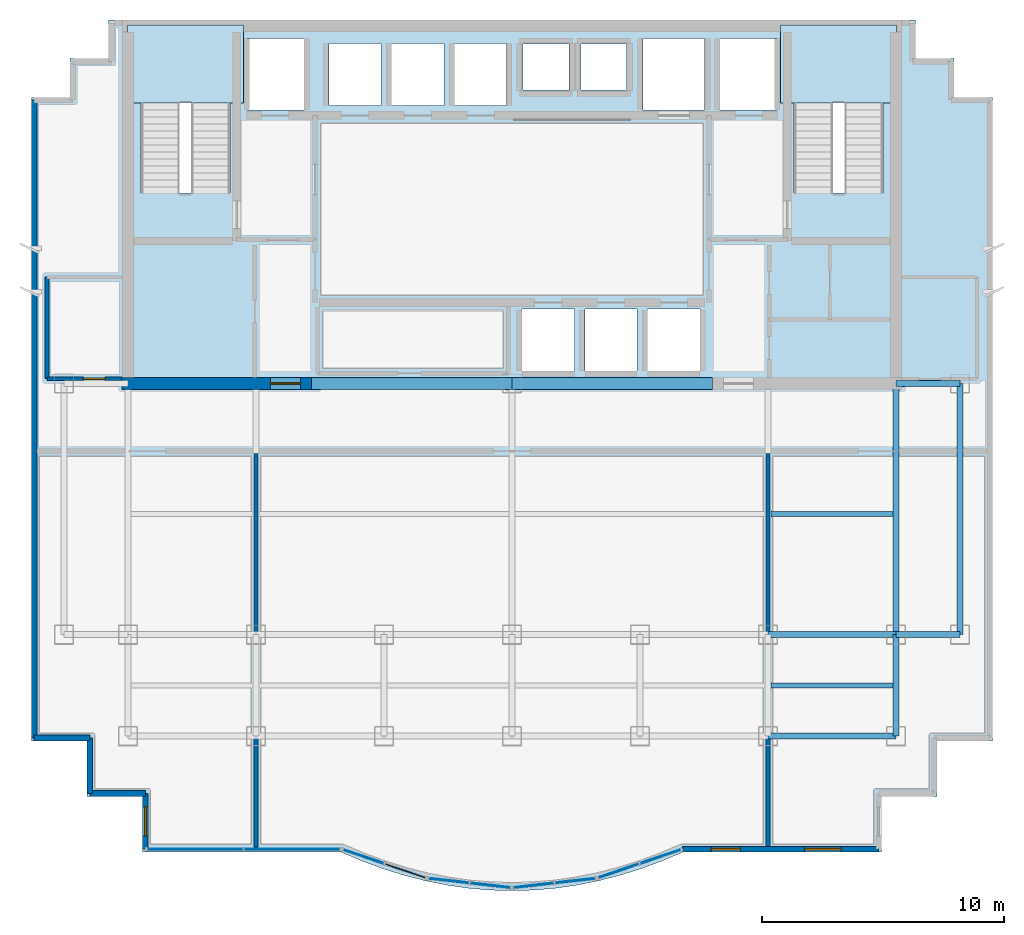
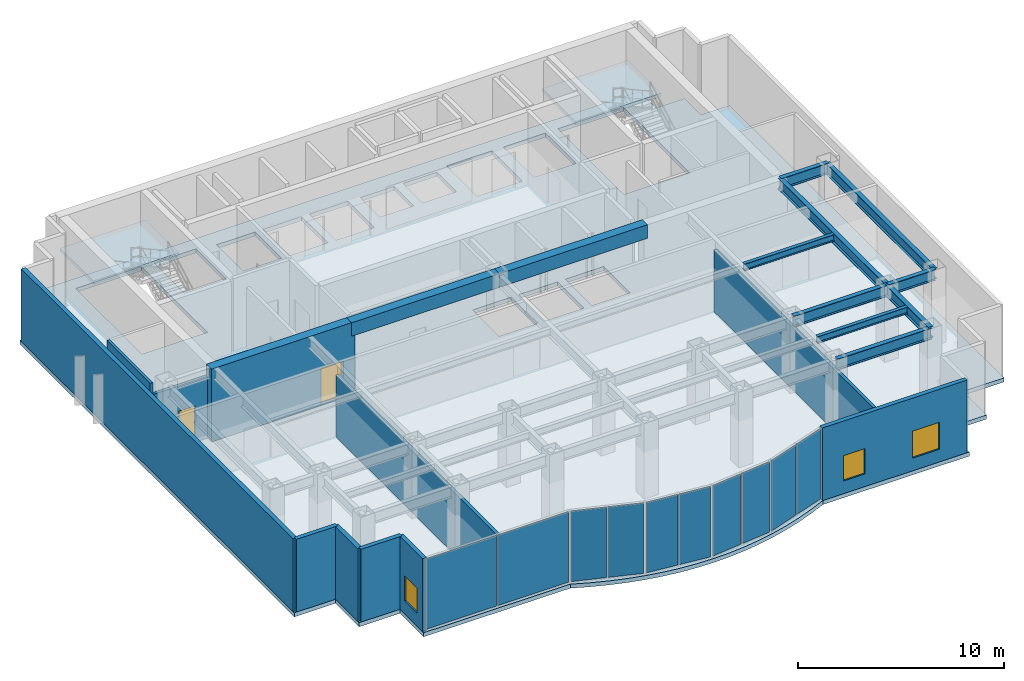
# One storey, part 3 of 8: 11 beams, 11 walls, 10 plates, 3 slabs, 3 windows, 2 doors, 5 openings, 7 elements without a shape of their own.
"""IFC4 building model written with IfcOpenShell, lengths in metres."""

from ifc_helpers import new_model, si_unit, direction, frame, frame_2d, origin, origin_2d, place, context, subcontext, project, spatial, polyline, rectangle, i_section, outline, extrude, source, transform, mapped, material, layer, layer_set, material_profile, profile_set, type_object, element, fill, aggregate, save


model = new_model("IFC4")

# Units and contexts
model_context = context("Model", 3, precision=1e-05, world=origin(), true_north=direction((0.0, 1.0)))
body_context = subcontext(model_context, "Body", "Model", "MODEL_VIEW")
ifc_project = project(units=[si_unit("LENGTHUNIT", "METRE"), si_unit("AREAUNIT", "SQUARE_METRE"), si_unit("VOLUMEUNIT", "CUBIC_METRE"), si_unit("PLANEANGLEUNIT", "RADIAN"), si_unit("MASSUNIT", "GRAM", prefix="KILO")], contexts=[model_context])

# Site, building, storey
site_placement = place(None, origin())
site = spatial("IfcSite", under=ifc_project, at=site_placement, CompositionType="ELEMENT")
building_placement = place(site_placement, origin())
building = spatial("IfcBuilding", under=site, at=building_placement, Name="Qianlan Lanfeng Residences", CompositionType="ELEMENT")
storey_placement = place(building_placement, frame((0.0, 0.0, 192.199951171875)))
storey = spatial("IfcBuildingStorey", under=building, at=storey_placement, Name="L52", CompositionType="ELEMENT", Elevation=192.199951171875)

# Beams
ifc_material_1 = material(Name="Steel SN490B", Category="steel")
ifc_material_profile_1 = material_profile(ifc_material_1, i_section(OverallWidth=0.25, OverallDepth=0.64990234375, WebThickness=0.012939453125, FlangeThickness=0.02197265625, at=origin_2d()), Name="H 650x250x13x22")
ifc_profile_set_1 = profile_set([ifc_material_profile_1], Name="Steel SN490B")
beam_type_1 = type_object("IfcBeamType", Name="G-650", PredefinedType="BEAM", material=ifc_profile_set_1)
for number, where, z_axis, x_axis, name in (
    (1, (37.10009765625, 10.60009765625, 3.985107421875), (1.0, 0.0, 0.0), (0.0, 1.0, 0.0), "Structural beam G-650"),
    (2, (37.10009765625, 14.800048828125, 3.985107421875), (1.0, 0.0, 0.0), (0.0, 1.0, 0.0), "Structural beam G-650"),
):
    element("IfcBeam", number, at=place(storey_placement, frame(where, z_axis=z_axis, x_axis=x_axis)), inside=storey, type_object=beam_type_1, Name=name, PredefinedType="BEAM", context=body_context, shape_type="SweptSolid", body=[
        extrude(i_section(OverallWidth=0.25, OverallDepth=0.64990234375, WebThickness=0.012939453125, FlangeThickness=0.02197265625, at=origin_2d()), origin(), (0.0, 0.0, 1.0), 5.2998046875),
    ])
for number, where, z_axis, x_axis, name in (
    (3, (42.39990234375, 14.800048828125, 3.985107421875), (1.0, 0.0, 0.0), (0.0, 1.0, 0.0), "Structural beam G-650"),
    (4, (42.39990234375, 25.199951171875, 3.985107421875), (1.0, 0.0, 0.0), (0.0, 1.0, 0.0), "Structural beam G-650"),
):
    element("IfcBeam", number, at=place(storey_placement, frame(where, z_axis=z_axis, x_axis=x_axis)), inside=storey, type_object=beam_type_1, Name=name, PredefinedType="BEAM", context=body_context, shape_type="SweptSolid", body=[
        extrude(i_section(OverallWidth=0.25, OverallDepth=0.64990234375, WebThickness=0.012939453125, FlangeThickness=0.02197265625, at=origin_2d()), origin(), (0.0, 0.0, 1.0), 2.650146484375),
    ])
beam_1_placement = place(storey_placement, frame((42.39990234375, 10.60009765625, 3.985107421875), z_axis=(0.0, 1.0, 0.0), x_axis=(-1.0, 0.0, 0.0)))
element("IfcBeam", 5, at=beam_1_placement, inside=storey, type_object=beam_type_1, Name="Structural beam G-650", PredefinedType="BEAM", context=body_context, shape_type="SweptSolid", body=[
    extrude(i_section(OverallWidth=0.25, OverallDepth=0.64990234375, WebThickness=0.012939453125, FlangeThickness=0.02197265625, at=origin_2d()), origin(), (0.0, 0.0, 1.0), 4.199951171875),
])
beam_2_placement = place(storey_placement, frame((42.39990234375, 14.800048828125, 3.985107421875), z_axis=(0.0, 1.0, 0.0), x_axis=(-1.0, 0.0, 0.0)))
element("IfcBeam", 6, at=beam_2_placement, inside=storey, type_object=beam_type_1, Name="Structural beam G-650", PredefinedType="BEAM", context=body_context, shape_type="SweptSolid", body=[
    extrude(i_section(OverallWidth=0.25, OverallDepth=0.64990234375, WebThickness=0.012939453125, FlangeThickness=0.02197265625, at=origin_2d()), origin(), (0.0, 0.0, 1.0), 10.39990234375),
])
ifc_material_profile_2 = material_profile(ifc_material_1, i_section(OverallWidth=0.199951171875, OverallDepth=0.39990234375, WebThickness=0.008056640625, FlangeThickness=0.012939453125, at=origin_2d()), Name="H 400x200x8x13")
ifc_profile_set_2 = profile_set([ifc_material_profile_2], Name="Steel SN490B")
beam_type_2 = type_object("IfcBeamType", Name="J-400", PredefinedType="JOIST", material=ifc_profile_set_2)
for number, where, z_axis, x_axis, name in (
    (7, (37.22509765625, 12.699951171875, 4.110107421875), (1.0, 0.0, 0.0), (0.0, 1.0, 0.0), "Structural beam J-400"),
    (8, (37.22509765625, 19.800048828125, 4.110107421875), (1.0, 0.0, 0.0), (0.0, 1.0, 0.0), "Structural beam J-400"),
):
    element("IfcBeam", number, at=place(storey_placement, frame(where, z_axis=z_axis, x_axis=x_axis)), inside=storey, type_object=beam_type_2, Name=name, PredefinedType="JOIST", context=body_context, shape_type="SweptSolid", body=[
        extrude(i_section(OverallWidth=0.199951171875, OverallDepth=0.39990234375, WebThickness=0.008056640625, FlangeThickness=0.012939453125, at=origin_2d()), origin(), (0.0, 0.0, 1.0), 5.0498046875),
    ])
ifc_material_2 = material(Name="Concrete C49", Category="concrete")
ifc_material_profile_3 = material_profile(ifc_material_2, rectangle(XDim=0.5, YDim=0.800048828125, at=origin_2d()), Name="RC 500x800")
ifc_profile_set_3 = profile_set([ifc_material_profile_3], Name="Concrete C49")
beam_type_3 = type_object("IfcBeamType", Name="LB-RC750", PredefinedType="BEAM", material=ifc_profile_set_3)
for number, where, z_axis, x_axis, name in (
    (9, (18.199951171875, 25.199951171875, 3.91015625), (1.0, 0.0, 0.0), (0.0, 1.0, 0.0), "L52 Core Coupling Beam W"),
    (10, (26.5, 25.199951171875, 3.91015625), (1.0, 0.0, 0.0), (0.0, 1.0, 0.0), "L52 Core Coupling Beam E"),
):
    element("IfcBeam", number, at=place(storey_placement, frame(where, z_axis=z_axis, x_axis=x_axis)), inside=storey, type_object=beam_type_3, Name=name, PredefinedType="BEAM", context=body_context, shape_type="SweptSolid", body=[
        extrude(rectangle(XDim=0.5, YDim=0.800048828125, at=origin_2d()), origin(), (0.0, 0.0, 1.0), 8.300048828125),
    ])
ifc_material_profile_4 = material_profile(ifc_material_1, i_section(OverallWidth=0.25, OverallDepth=0.64990234375, WebThickness=0.012939453125, FlangeThickness=0.02197265625, at=origin_2d()), Name="H 650x250x13x22")
ifc_profile_set_4 = profile_set([ifc_material_profile_4], Name="Steel SN490B")
beam_type_4 = type_object("IfcBeamType", Name="SG-650", PredefinedType="SPANDREL", material=ifc_profile_set_4)
beam_3_placement = place(storey_placement, frame((45.050048828125, 14.800048828125, 3.965087890625), z_axis=(0.0, 1.0, 0.0), x_axis=(-1.0, 0.0, 0.0)))
element("IfcBeam", 11, at=beam_3_placement, inside=storey, type_object=beam_type_4, Name="Structural beam SG-650", PredefinedType="SPANDREL", context=body_context, shape_type="SweptSolid", body=[
    extrude(i_section(OverallWidth=0.25, OverallDepth=0.64990234375, WebThickness=0.012939453125, FlangeThickness=0.02197265625, at=origin_2d()), origin(), (0.0, 0.0, 1.0), 10.39990234375),
])

# Slab
ifc_layer_1 = layer(ifc_material_2, 0.239990234375)
ifc_layer_set_1 = layer_set([ifc_layer_1], Name="Concrete C49")
slab_type_1 = type_object("IfcSlabType", Name="S-FL-240", PredefinedType="FLOOR", material=ifc_layer_set_1)
slab_1_placement = place(storey_placement, frame((0.0, 0.0, -0.239990234375)))
element("IfcSlab", 12, at=slab_1_placement, inside=storey, type_object=slab_type_1, Name="L52 Structural Floor Slab", PredefinedType="FLOOR", context=body_context, shape_type="SweptSolid", body=[
    extrude(outline(polyline([(6.60009765625, 10.39990234375), (8.89990234375, 10.39990234375), (8.89990234375, 8.10009765625), (11.199951171875, 8.10009765625), (11.199951171875, 5.800048828125), (19.419921875, 5.800048828125), (20.304931640625, 5.425048828125), (21.18994140625, 5.10009765625), (22.074951171875, 4.824951171875), (22.9599609375, 4.60009765625), (23.844970703125, 4.425048828125), (24.72998046875, 4.300048828125), (25.614990234375, 4.22509765625), (26.5, 4.199951171875), (27.385009765625, 4.22509765625), (28.27001953125, 4.300048828125), (29.155029296875, 4.425048828125), (30.0400390625, 4.60009765625), (30.925048828125, 4.824951171875), (31.81005859375, 5.10009765625), (32.695068359375, 5.425048828125), (33.580078125, 5.800048828125), (41.800048828125, 5.800048828125), (41.800048828125, 8.10009765625), (44.10009765625, 8.10009765625), (44.10009765625, 10.39990234375), (46.39990234375, 10.39990234375), (46.39990234375, 37.050048828125), (44.800048828125, 37.050048828125), (44.800048828125, 38.64990234375), (43.199951171875, 38.64990234375), (43.199951171875, 40.25), (9.800048828125, 40.25), (9.800048828125, 38.64990234375), (8.199951171875, 38.64990234375), (8.199951171875, 37.050048828125), (6.60009765625, 37.050048828125), (6.60009765625, 10.39990234375)]), holes=[polyline([(11.139892578125, 33.080078125), (11.139892578125, 39.5), (14.820068359375, 39.5), (14.820068359375, 33.080078125), (11.139892578125, 33.080078125)]), polyline([(38.179931640625, 33.080078125), (38.179931640625, 39.5), (41.860107421875, 39.5), (41.860107421875, 33.080078125), (38.179931640625, 33.080078125)]), polyline([(15.52001953125, 36.52001953125), (15.52001953125, 39.47998046875), (17.8798828125, 39.47998046875), (17.8798828125, 36.52001953125), (15.52001953125, 36.52001953125)]), polyline([(35.1201171875, 36.52001953125), (35.1201171875, 39.47998046875), (37.47998046875, 39.47998046875), (37.47998046875, 36.52001953125), (35.1201171875, 36.52001953125)]), polyline([(31.919921875, 36.52001953125), (31.919921875, 39.47998046875), (34.47998046875, 39.47998046875), (34.47998046875, 36.52001953125), (31.919921875, 36.52001953125)]), polyline([(26.919921875, 25.719970703125), (26.919921875, 28.280029296875), (29.080078125, 28.280029296875), (29.080078125, 25.719970703125), (26.919921875, 25.719970703125)]), polyline([(29.52001953125, 25.719970703125), (29.52001953125, 28.280029296875), (31.679931640625, 28.280029296875), (31.679931640625, 25.719970703125), (29.52001953125, 25.719970703125)]), polyline([(32.1201171875, 25.719970703125), (32.1201171875, 28.280029296875), (34.280029296875, 28.280029296875), (34.280029296875, 25.719970703125), (32.1201171875, 25.719970703125)]), polyline([(18.919921875, 36.719970703125), (18.919921875, 39.280029296875), (21.080078125, 39.280029296875), (21.080078125, 36.719970703125), (18.919921875, 36.719970703125)]), polyline([(21.52001953125, 36.719970703125), (21.52001953125, 39.280029296875), (23.679931640625, 39.280029296875), (23.679931640625, 36.719970703125), (21.52001953125, 36.719970703125)]), polyline([(24.1201171875, 36.719970703125), (24.1201171875, 39.280029296875), (26.280029296875, 39.280029296875), (26.280029296875, 36.719970703125), (24.1201171875, 36.719970703125)]), polyline([(26.949951171875, 37.35009765625), (26.949951171875, 39.25), (28.85009765625, 39.25), (28.85009765625, 37.35009765625), (26.949951171875, 37.35009765625)]), polyline([(29.35009765625, 37.35009765625), (29.35009765625, 39.25), (31.25, 39.25), (31.25, 37.35009765625), (29.35009765625, 37.35009765625)])]), origin(), (0.0, 0.0, 1.0), 0.239990234375),
])

# Stair, slab
ifc_material_3 = material(Name="Concrete C42", Category="concrete")
stair_type = type_object("IfcStairType", Name="STR-MAIN", PredefinedType="HALF_TURN_STAIR", material=ifc_material_3)
stair_1_placement = place(storey_placement, origin())
stair_1 = element("IfcStair", 13, at=stair_1_placement, inside=storey, type_object=stair_type, Name="L52 Exit Stair ST-1", PredefinedType="HALF_TURN_STAIR")
ifc_layer_2 = layer(ifc_material_3, 0.179931640625)
ifc_layer_set_2 = layer_set([ifc_layer_2], Name="Concrete C42")
slab_type_2 = type_object("IfcSlabType", Name="S-LND-180", PredefinedType="LANDING", material=ifc_layer_set_2)
slab_2_placement = place(storey_placement, frame((0.0, 0.0, 2.050048828125)))
slab_2 = element("IfcSlab", 14, at=slab_2_placement, type_object=slab_type_2, Name="ST-1 landing 1", PredefinedType="LANDING", context=body_context, shape_type="SweptSolid", body=[
    extrude(outline(polyline([(10.580078125, 36.820068359375), (15.3798828125, 36.820068359375), (15.3798828125, 40.050048828125), (10.580078125, 40.050048828125), (10.580078125, 36.820068359375)])), origin(), (0.0, 0.0, 1.0), 0.199951171875),
])
aggregate(stair_1, [slab_2])

stair_2_placement = place(storey_placement, origin())
stair_2 = element("IfcStair", 15, at=stair_2_placement, inside=storey, type_object=stair_type, Name="L52 Exit Stair ST-2", PredefinedType="HALF_TURN_STAIR")
slab_3_placement = place(storey_placement, frame((0.0, 0.0, 2.050048828125)))
slab_3 = element("IfcSlab", 16, at=slab_3_placement, type_object=slab_type_2, Name="ST-2 landing 1", PredefinedType="LANDING", context=body_context, shape_type="SweptSolid", body=[
    extrude(outline(polyline([(37.6201171875, 36.820068359375), (42.419921875, 36.820068359375), (42.419921875, 40.050048828125), (37.6201171875, 40.050048828125), (37.6201171875, 36.820068359375)])), origin(), (0.0, 0.0, 1.0), 0.199951171875),
])
aggregate(stair_2, [slab_3])

# Curtain wall, plates
ifc_material_4 = material(Name="Anodised Bronze Aluminium 6063-T6", Category="aluminium")
ifc_layer_3 = layer(ifc_material_4, 0.219970703125)
ifc_layer_set_3 = layer_set([ifc_layer_3], Name="Anodised Bronze Aluminium 6063-T6")
curtain_wall_type = type_object("IfcCurtainWallType", Name="CW-05", PredefinedType="NOTDEFINED", material=ifc_layer_set_3)
curtain_wall_1_placement = place(storey_placement, origin())
curtain_wall_1 = element("IfcCurtainWall", 17, at=curtain_wall_1_placement, inside=storey, type_object=curtain_wall_type, Name="L52 Unitised Curtain Wall CWR-L52-01 (CW-05)", PredefinedType="NOTDEFINED")
ifc_material_5 = material(Name="Dark Bronze Tinted Insulated Glass", Category="glass")
ifc_layer_4 = layer(ifc_material_5, 0.0380859375)
ifc_layer_set_4 = layer_set([ifc_layer_4], Name="Dark Bronze Tinted Insulated Glass")
plate_type_1 = type_object("IfcPlateType", Name="PNL-GLZ-BRZ", PredefinedType="CURTAIN_PANEL", material=ifc_layer_set_4)
shared_shape_1 = source(origin(), body_context, "Body", "SweptSolid", [
    extrude(rectangle(XDim=3.951416015625, YDim=0.0380859375, at=origin_2d()), origin(), (0.0, 0.0, 1.0), 4.162109375),
])
plate_1_placement = place(storey_placement, frame((13.36962890625, 5.919921875, 0.073974609375), z_axis=(0.0, 0.0, 1.0), x_axis=(1.0, 0.0, 0.0)))
plate_1 = element("IfcPlate", 18, at=plate_1_placement, type_object=plate_type_1, Name="CWR-L52-01 Curtain Panel 1", PredefinedType="CURTAIN_PANEL", context=body_context, shape_type="MappedRepresentation", body=[
    mapped(shared_shape_1, transform((0.0, 0.0, 0.0), scale=1.0)),
])
plate_2_placement = place(storey_placement, frame((17.394287109375, 5.919921875, 0.073974609375), z_axis=(0.0, 0.0, 1.0), x_axis=(1.0, 0.0, 0.0)))
plate_2 = element("IfcPlate", 19, at=plate_2_placement, type_object=plate_type_1, Name="CWR-L52-01 Curtain Panel 2", PredefinedType="CURTAIN_PANEL", context=body_context, shape_type="MappedRepresentation", body=[
    mapped(shared_shape_1, transform((0.0, 0.0, 0.0), scale=1.0)),
])
aggregate(curtain_wall_1, [plate_1, plate_2])

# Curtain wall, plate
curtain_wall_2_placement = place(storey_placement, origin())
curtain_wall_2 = element("IfcCurtainWall", 20, at=curtain_wall_2_placement, inside=storey, type_object=curtain_wall_type, Name="L52 Unitised Curtain Wall CWR-L52-02 (CW-05)", PredefinedType="NOTDEFINED")
shared_shape_2 = source(origin(), body_context, "Body", "SweptSolid", [
    extrude(rectangle(XDim=1.760009765625, YDim=0.0380859375, at=origin_2d()), origin(), (0.0, 0.0, 1.0), 4.162109375),
])
plate_3_placement = place(storey_placement, frame((20.347412109375, 5.61328125, 0.073974609375), z_axis=(0.0, 0.0, 1.0), x_axis=(0.946876819797, -0.321596467845, 0.0)))
plate_3 = element("IfcPlate", 21, at=plate_3_placement, type_object=plate_type_1, Name="CWR-L52-02 Curtain Panel 1", PredefinedType="CURTAIN_PANEL", context=body_context, shape_type="MappedRepresentation", body=[
    mapped(shared_shape_2, transform((0.0, 0.0, 0.0), scale=1.0)),
])

curtain_wall_3_placement = place(storey_placement, origin())
curtain_wall_3 = element("IfcCurtainWall", 22, at=curtain_wall_3_placement, inside=storey, type_object=curtain_wall_type, Name="L52 Unitised Curtain Wall CWR-L52-05 (CW-05)", PredefinedType="NOTDEFINED")
plate_4_placement = place(storey_placement, frame((30.917236328125, 5.023681640625, 0.073974609375), z_axis=(0.0, 0.0, 1.0), x_axis=(0.946876819797, 0.321596467845, 0.0)))
plate_4 = element("IfcPlate", 23, at=plate_4_placement, type_object=plate_type_1, Name="CWR-L52-05 Curtain Panel 1", PredefinedType="CURTAIN_PANEL", context=body_context, shape_type="MappedRepresentation", body=[
    mapped(shared_shape_2, transform((0.0, 0.0, 0.0), scale=1.0)),
])

# Plate
ifc_material_6 = material(Name="Perforated Champagne Gold Aluminium Panel", Category="aluminium")
ifc_layer_5 = layer(ifc_material_6, 0.0400390625)
ifc_layer_set_5 = layer_set([ifc_layer_5], Name="Perforated Champagne Gold Aluminium Panel")
plate_type_2 = type_object("IfcPlateType", Name="PNL-PRF-GLD", PredefinedType="CURTAIN_PANEL", material=ifc_layer_set_5)
shared_shape_3 = source(origin(), body_context, "Body", "SweptSolid", [
    extrude(rectangle(XDim=1.759765625, YDim=0.0400390625, at=origin_2d()), origin(), (0.0, 0.0, 1.0), 4.162109375),
])
plate_5_placement = place(storey_placement, frame((22.082763671875, 5.023681640625, 0.073974609375), z_axis=(0.0, 0.0, 1.0), x_axis=(0.946876819797, -0.321596467845, 0.0)))
plate_5 = element("IfcPlate", 24, at=plate_5_placement, type_object=plate_type_2, Name="CWR-L52-02 Curtain Panel 2", PredefinedType="CURTAIN_PANEL", context=body_context, shape_type="MappedRepresentation", body=[
    mapped(shared_shape_3, transform((0.0, 0.0, 0.0), scale=1.0)),
])

aggregate(curtain_wall_2, [plate_3, plate_5])

# Curtain wall, plates
curtain_wall_4_placement = place(storey_placement, origin())
curtain_wall_4 = element("IfcCurtainWall", 25, at=curtain_wall_4_placement, inside=storey, type_object=curtain_wall_type, Name="L52 Unitised Curtain Wall CWR-L52-03 (CW-05)", PredefinedType="NOTDEFINED")
shared_shape_4 = source(origin(), body_context, "Body", "SweptSolid", [
    extrude(rectangle(XDim=1.65771484375, YDim=0.0380859375, at=origin_2d()), origin(), (0.0, 0.0, 1.0), 4.162109375),
])
plate_6_placement = place(storey_placement, frame((23.883056640625, 4.615478515625, 0.073974609375), z_axis=(0.0, 0.0, 1.0), x_axis=(0.993678497778, -0.112263275625, 0.0)))
plate_6 = element("IfcPlate", 26, at=plate_6_placement, type_object=plate_type_1, Name="CWR-L52-03 Curtain Panel 1", PredefinedType="CURTAIN_PANEL", context=body_context, shape_type="MappedRepresentation", body=[
    mapped(shared_shape_4, transform((0.0, 0.0, 0.0), scale=1.0)),
])
plate_7_placement = place(storey_placement, frame((25.602783203125, 4.42138671875, 0.073974609375), z_axis=(0.0, 0.0, 1.0), x_axis=(0.993678497778, -0.112263275625, 0.0)))
plate_7 = element("IfcPlate", 27, at=plate_7_placement, type_object=plate_type_1, Name="CWR-L52-03 Curtain Panel 2", PredefinedType="CURTAIN_PANEL", context=body_context, shape_type="MappedRepresentation", body=[
    mapped(shared_shape_4, transform((0.0, 0.0, 0.0), scale=1.0)),
])
aggregate(curtain_wall_4, [plate_6, plate_7])

curtain_wall_5_placement = place(storey_placement, origin())
curtain_wall_5 = element("IfcCurtainWall", 28, at=curtain_wall_5_placement, inside=storey, type_object=curtain_wall_type, Name="L52 Unitised Curtain Wall CWR-L52-04 (CW-05)", PredefinedType="NOTDEFINED")
plate_8_placement = place(storey_placement, frame((27.397216796875, 4.42138671875, 0.073974609375), z_axis=(0.0, 0.0, 1.0), x_axis=(0.993678497778, 0.112263275625, 0.0)))
plate_8 = element("IfcPlate", 29, at=plate_8_placement, type_object=plate_type_1, Name="CWR-L52-04 Curtain Panel 1", PredefinedType="CURTAIN_PANEL", context=body_context, shape_type="MappedRepresentation", body=[
    mapped(shared_shape_4, transform((0.0, 0.0, 0.0), scale=1.0)),
])
shared_shape_5 = source(origin(), body_context, "Body", "SweptSolid", [
    extrude(rectangle(XDim=1.65771484375, YDim=0.0400390625, at=origin_2d()), origin(), (0.0, 0.0, 1.0), 4.162109375),
])
plate_9_placement = place(storey_placement, frame((29.116943359375, 4.615478515625, 0.073974609375), z_axis=(0.0, 0.0, 1.0), x_axis=(0.993678497778, 0.112263275625, 0.0)))
plate_9 = element("IfcPlate", 30, at=plate_9_placement, type_object=plate_type_2, Name="CWR-L52-04 Curtain Panel 2", PredefinedType="CURTAIN_PANEL", context=body_context, shape_type="MappedRepresentation", body=[
    mapped(shared_shape_5, transform((0.0, 0.0, 0.0), scale=1.0)),
])
aggregate(curtain_wall_5, [plate_8, plate_9])

# Plate
shared_shape_6 = source(origin(), body_context, "Body", "SweptSolid", [
    extrude(rectangle(XDim=1.759765625, YDim=0.0380859375, at=origin_2d()), origin(), (0.0, 0.0, 1.0), 4.162109375),
])
plate_10_placement = place(storey_placement, frame((32.65283203125, 5.61328125, 0.073974609375), z_axis=(0.0, 0.0, 1.0), x_axis=(0.946876819797, 0.321596467845, 0.0)))
plate_10 = element("IfcPlate", 31, at=plate_10_placement, type_object=plate_type_1, Name="CWR-L52-05 Curtain Panel 2", PredefinedType="CURTAIN_PANEL", context=body_context, shape_type="MappedRepresentation", body=[
    mapped(shared_shape_6, transform((0.0, 0.0, 0.0), scale=1.0)),
])

aggregate(curtain_wall_3, [plate_4, plate_10])

# Wall, opening, door
ifc_material_7 = material(Name="Concrete C70", Category="concrete")
ifc_layer_6 = layer(ifc_material_7, 0.5)
ifc_layer_set_6 = layer_set([ifc_layer_6], Name="Concrete C70")
wall_type_1 = type_object("IfcWallType", Name="CW-RC-500", PredefinedType="SHEAR", material=ifc_layer_set_6)
wall_1_placement = place(storey_placement, frame((10.35009765625, 25.199951171875, 0.0), z_axis=(0.0, 0.0, 1.0), x_axis=(1.0, 0.0, 0.0)))
wall_1 = element("IfcWall", 32, at=wall_1_placement, inside=storey, type_object=wall_type_1, Name="L52 Core Shear Wall SW", PredefinedType="SHEAR", context=body_context, shape_type="SweptSolid", body=[
    extrude(rectangle(XDim=8.0498046875, YDim=0.5, at=frame_2d((4.02490234375, 0.0))), origin(), (0.0, 0.0, 1.0), 4.31005859375),
])
opening_1_placement = place(wall_1_placement, frame((6.14990234375, 0.0, 0.0)))
opening_1 = element("IfcOpeningElement", 33, at=opening_1_placement, cuts=wall_1, Name="Opening L52-D01", PredefinedType="OPENING", context=body_context, shape_type="SweptSolid", body=[
    extrude(rectangle(XDim=1.25, YDim=2.199951171875, at=frame_2d((0.625, 1.10009765625))), frame((0.0, 0.260009765625, 0.0), z_axis=(0.0, -1.0, 0.0), x_axis=(1.0, 0.0, 0.0)), (0.0, 0.0, 1.0), 0.52001953125),
])
ifc_material_8 = material(Name="Painted Galvanised Steel Fire Door", Category="steel")
door_type_1 = type_object("IfcDoorType", Name="DT-FFL", OperationType="NOTDEFINED", PredefinedType="DOOR", material=ifc_material_8)
door_1_placement = place(opening_1_placement, origin())
door_1 = element("IfcDoor", 34, at=door_1_placement, inside=storey, type_object=door_type_1, Name="L52 West Core Lobby Smoke Door L52-D01 (DT-FFL)", OperationType="SINGLE_SWING_RIGHT", OverallHeight=2.199951171875, OverallWidth=1.25, PredefinedType="DOOR", context=body_context, shape_type="SweptSolid", body=[
    extrude(rectangle(XDim=1.25, YDim=2.199951171875, at=frame_2d((0.625, 1.10009765625))), frame((0.0, 0.02490234375, 0.0), z_axis=(0.0, -1.0, 0.0), x_axis=(1.0, 0.0, 0.0)), (0.0, 0.0, 1.0), 0.050048828125),
])
fill(opening_1, door_1)

# Walls
ifc_layer_7 = layer(ifc_material_3, 0.239990234375)
ifc_layer_set_7 = layer_set([ifc_layer_7], Name="Concrete C42")
wall_type_2 = type_object("IfcWallType", Name="EW-240", PredefinedType="SOLIDWALL", material=ifc_layer_set_7)
for number, where, z_axis, x_axis, name in (
    (35, (6.719970703125, 10.52001953125, 0.0), (0.0, 0.0, 1.0), (1.0, 0.0, 0.0), "L52 Exterior Facade Spandrel Wall 1"),
    (36, (9.02001953125, 10.52001953125, 0.0), (0.0, 0.0, 1.0), (0.0, -1.0, 0.0), "L52 Exterior Facade Spandrel Wall 2"),
    (37, (9.02001953125, 8.219970703125, 0.0), (0.0, 0.0, 1.0), (1.0, 0.0, 0.0), "L52 Exterior Facade Spandrel Wall 3"),
):
    element("IfcWall", number, at=place(storey_placement, frame(where, z_axis=z_axis, x_axis=x_axis)), inside=storey, type_object=wall_type_2, Name=name, PredefinedType="SOLIDWALL", context=body_context, shape_type="SweptSolid", body=[
        extrude(rectangle(XDim=2.300048828125, YDim=0.239990234375, at=frame_2d((1.14990234375, 0.0))), origin(), (0.0, 0.0, 1.0), 4.31005859375),
    ])

# Wall, opening, window
wall_2_placement = place(storey_placement, frame((11.320068359375, 8.219970703125, 0.0), z_axis=(0.0, 0.0, 1.0), x_axis=(0.0, -1.0, 0.0)))
wall_2 = element("IfcWall", 38, at=wall_2_placement, inside=storey, type_object=wall_type_2, Name="L52 Exterior Facade Spandrel Wall 4", PredefinedType="SOLIDWALL", context=body_context, shape_type="SweptSolid", body=[
    extrude(rectangle(XDim=2.300048828125, YDim=0.239990234375, at=frame_2d((1.14990234375, 0.0))), origin(), (0.0, 0.0, 1.0), 4.31005859375),
])
opening_2_placement = place(wall_2_placement, frame((0.550048828125, 0.0, 0.75)))
opening_2 = element("IfcOpeningElement", 39, at=opening_2_placement, cuts=wall_2, Name="Opening W-03", PredefinedType="OPENING", context=body_context, shape_type="SweptSolid", body=[
    extrude(rectangle(XDim=1.199951171875, YDim=1.5, at=frame_2d((0.60009765625, 0.75))), frame((0.0, 0.1298828125, 0.0), z_axis=(0.0, -1.0, 0.0), x_axis=(1.0, 0.0, 0.0)), (0.0, 0.0, 1.0), 0.260009765625),
])
ifc_material_9 = material(Name="Anodised Bronze Aluminium Framed Double Glazing", Category="aluminium")
window_type_1 = type_object("IfcWindowType", Name="W-03", PartitioningType="SINGLE_PANEL", PredefinedType="WINDOW", material=ifc_material_9)
window_1_placement = place(opening_2_placement, origin())
window_1 = element("IfcWindow", 40, at=window_1_placement, inside=storey, type_object=window_type_1, Name="L52 Facade Punched Window W-03", OverallHeight=1.5, OverallWidth=1.199951171875, PartitioningType="SINGLE_PANEL", PredefinedType="WINDOW", context=body_context, shape_type="SweptSolid", body=[
    extrude(rectangle(XDim=1.199951171875, YDim=1.5, at=frame_2d((0.60009765625, 0.75))), frame((0.0, 0.030029296875, 0.0), z_axis=(0.0, -1.0, 0.0), x_axis=(1.0, 0.0, 0.0)), (0.0, 0.0, 1.0), 0.06005859375),
])
fill(opening_2, window_1)

# Wall, openings, windows
wall_3_placement = place(storey_placement, frame((33.555908203125, 5.919921875, 0.0), z_axis=(0.0, 0.0, 1.0), x_axis=(1.0, 0.0, 0.0)))
wall_3 = element("IfcWall", 41, at=wall_3_placement, inside=storey, type_object=wall_type_2, Name="L52 Exterior Facade Spandrel Wall 5", PredefinedType="SOLIDWALL", context=body_context, shape_type="SweptSolid", body=[
    extrude(rectangle(XDim=8.1240234375, YDim=0.239990234375, at=frame_2d((4.06201171875, 0.0))), origin(), (0.0, 0.0, 1.0), 4.31005859375),
])
opening_3_placement = place(wall_3_placement, frame((5.05908203125, 0.0, 0.75)))
opening_3 = element("IfcOpeningElement", 42, at=opening_3_placement, cuts=wall_3, Name="Opening W-02", PredefinedType="OPENING", context=body_context, shape_type="SweptSolid", body=[
    extrude(rectangle(XDim=1.5, YDim=1.60009765625, at=frame_2d((0.75, 0.800048828125))), frame((0.0, 0.1298828125, 0.0), z_axis=(0.0, -1.0, 0.0), x_axis=(1.0, 0.0, 0.0)), (0.0, 0.0, 1.0), 0.260009765625),
])
opening_4_placement = place(wall_3_placement, frame((1.197021484375, 0.0, 0.75)))
opening_4 = element("IfcOpeningElement", 43, at=opening_4_placement, cuts=wall_3, Name="Opening W-03", PredefinedType="OPENING", context=body_context, shape_type="SweptSolid", body=[
    extrude(rectangle(XDim=1.199951171875, YDim=1.5, at=frame_2d((0.60009765625, 0.75))), frame((0.0, 0.1298828125, 0.0), z_axis=(0.0, -1.0, 0.0), x_axis=(1.0, 0.0, 0.0)), (0.0, 0.0, 1.0), 0.260009765625),
])
window_type_2 = type_object("IfcWindowType", Name="W-02", PartitioningType="SINGLE_PANEL", PredefinedType="WINDOW", material=ifc_material_9)
window_2_placement = place(opening_3_placement, origin())
window_2 = element("IfcWindow", 44, at=window_2_placement, inside=storey, type_object=window_type_2, Name="L52 Facade Punched Window W-02", OverallHeight=1.60009765625, OverallWidth=1.5, PartitioningType="SINGLE_PANEL", PredefinedType="WINDOW", context=body_context, shape_type="SweptSolid", body=[
    extrude(rectangle(XDim=1.5, YDim=1.60009765625, at=frame_2d((0.75, 0.800048828125))), frame((0.0, 0.030029296875, 0.0), z_axis=(0.0, -1.0, 0.0), x_axis=(1.0, 0.0, 0.0)), (0.0, 0.0, 1.0), 0.06005859375),
])
fill(opening_3, window_2)
window_3_placement = place(opening_4_placement, origin())
window_3 = element("IfcWindow", 45, at=window_3_placement, inside=storey, type_object=window_type_1, Name="L52 Facade Bay Window W-03", OverallHeight=1.5, OverallWidth=1.199951171875, PartitioningType="SINGLE_PANEL", PredefinedType="WINDOW", context=body_context, shape_type="SweptSolid", body=[
    extrude(rectangle(XDim=1.199951171875, YDim=1.5, at=frame_2d((0.60009765625, 0.75))), frame((0.0, 0.030029296875, 0.0), z_axis=(0.0, -1.0, 0.0), x_axis=(1.0, 0.0, 0.0)), (0.0, 0.0, 1.0), 0.06005859375),
])
fill(opening_4, window_3)

# Wall
wall_4_placement = place(storey_placement, frame((6.719970703125, 36.929931640625, 0.0), z_axis=(0.0, 0.0, 1.0), x_axis=(0.0, -1.0, 0.0)))
element("IfcWall", 46, at=wall_4_placement, inside=storey, type_object=wall_type_2, Name="L52 Exterior Facade Spandrel Wall 21", PredefinedType="SOLIDWALL", context=body_context, shape_type="SweptSolid", body=[
    extrude(rectangle(XDim=26.409912109375, YDim=0.239990234375, at=frame_2d((13.205078125, 0.0))), origin(), (0.0, 0.0, 1.0), 4.31005859375),
])

# Wall, opening, door
ifc_material_10 = material(Name="Acoustic Drywall Partition 150 mm")
ifc_layer_8 = layer(ifc_material_10, 0.14990234375)
ifc_layer_set_8 = layer_set([ifc_layer_8], Name="Acoustic Drywall Partition 150 mm")
wall_type_3 = type_object("IfcWallType", Name="PW-150", PredefinedType="PARTITIONING", material=ifc_layer_set_8)
wall_5_placement = place(storey_placement, frame((7.25, 25.39990234375, 0.0), z_axis=(0.0, 0.0, 1.0), x_axis=(1.0, 0.0, 0.0)))
wall_5 = element("IfcWall", 47, at=wall_5_placement, inside=storey, type_object=wall_type_3, Name="L52 Restroom South Wall", PredefinedType="PARTITIONING", context=body_context, shape_type="SweptSolid", body=[
    extrude(rectangle(XDim=3.10009765625, YDim=0.14990234375, at=frame_2d((1.550048828125, 0.0))), origin(), (0.0, 0.0, 1.0), 3.655029296875),
])
opening_5_placement = place(wall_5_placement, frame((1.5, 0.0, 0.0)))
opening_5 = element("IfcOpeningElement", 48, at=opening_5_placement, cuts=wall_5, Name="Opening L52-D19", PredefinedType="OPENING", context=body_context, shape_type="SweptSolid", body=[
    extrude(rectangle(XDim=0.89990234375, YDim=2.14990234375, at=frame_2d((0.449951171875, 1.074951171875))), frame((0.0, 0.0849609375, 0.0), z_axis=(0.0, -1.0, 0.0), x_axis=(1.0, 0.0, 0.0)), (0.0, 0.0, 1.0), 0.169921875),
])
ifc_material_11 = material(Name="Moisture-Resistant Timber Leaf", Category="wood")
door_type_2 = type_object("IfcDoorType", Name="DT-WC", OperationType="NOTDEFINED", PredefinedType="DOOR", material=ifc_material_11)
door_2_placement = place(opening_5_placement, origin())
door_2 = element("IfcDoor", 49, at=door_2_placement, inside=storey, type_object=door_type_2, Name="L52 Public Restroom Door L52-D19 (DT-WC)", OperationType="SINGLE_SWING_RIGHT", OverallHeight=2.14990234375, OverallWidth=0.89990234375, PredefinedType="DOOR", context=body_context, shape_type="SweptSolid", body=[
    extrude(rectangle(XDim=0.89990234375, YDim=2.14990234375, at=frame_2d((0.449951171875, 1.074951171875))), frame((0.0, 0.02490234375, 0.0), z_axis=(0.0, -1.0, 0.0), x_axis=(1.0, 0.0, 0.0)), (0.0, 0.0, 1.0), 0.050048828125),
])
fill(opening_5, door_2)

# Walls
wall_6_placement = place(storey_placement, frame((7.25, 25.39990234375, 0.0), z_axis=(0.0, 0.0, 1.0), x_axis=(0.0, 1.0, 0.0)))
element("IfcWall", 50, at=wall_6_placement, inside=storey, type_object=wall_type_3, Name="L52 Restroom West Wall", PredefinedType="PARTITIONING", context=body_context, shape_type="SweptSolid", body=[
    extrude(rectangle(XDim=4.2001953125, YDim=0.14990234375, at=frame_2d((2.10009765625, 0.0))), origin(), (0.0, 0.0, 1.0), 4.31005859375),
])
ifc_material_12 = material(Name="Double-Layer Acoustic Gypsum Stud Wall 180 mm")
ifc_layer_9 = layer(ifc_material_12, 0.179931640625)
ifc_layer_set_9 = layer_set([ifc_layer_9], Name="Double-Layer Acoustic Gypsum Stud Wall 180 mm")
wall_type_4 = type_object("IfcWallType", Name="PW-180", PredefinedType="PARTITIONING", material=ifc_layer_set_9)
for number, where, z_axis, x_axis, name in (
    (51, (15.89990234375, 6.02001953125, 0.0), (0.0, 0.0, 1.0), (0.0, 1.0, 0.0), "L52 West Lounge Partition"),
    (52, (37.10009765625, 6.02001953125, 0.0), (0.0, 0.0, 1.0), (0.0, 1.0, 0.0), "L52 East Lounge Partition"),
):
    element("IfcWall", number, at=place(storey_placement, frame(where, z_axis=z_axis, x_axis=x_axis)), inside=storey, type_object=wall_type_4, Name=name, PredefinedType="PARTITIONING", context=body_context, shape_type="SweptSolid", body=[
        extrude(rectangle(XDim=16.280029296875, YDim=0.179931640625, at=frame_2d((8.14013671875, 0.0))), origin(), (0.0, 0.0, 1.0), 3.655029296875),
    ])

save(model, "model.ifc")
